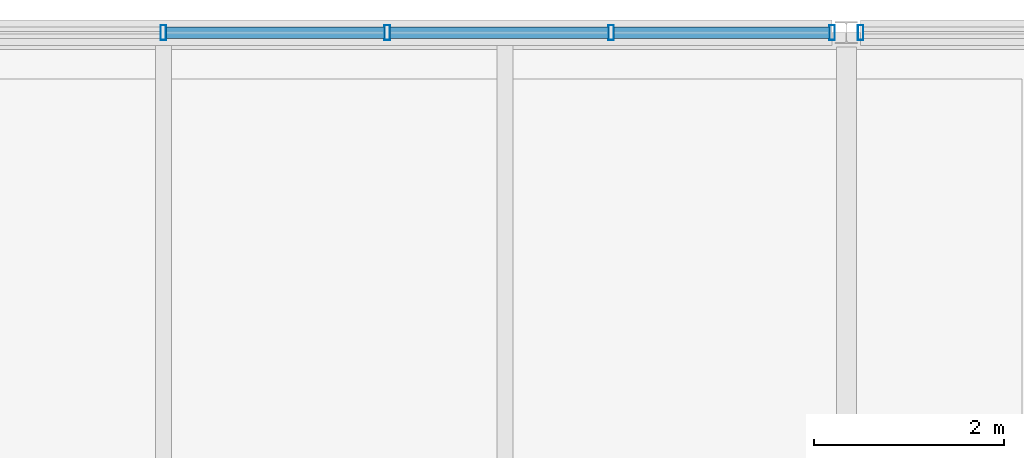
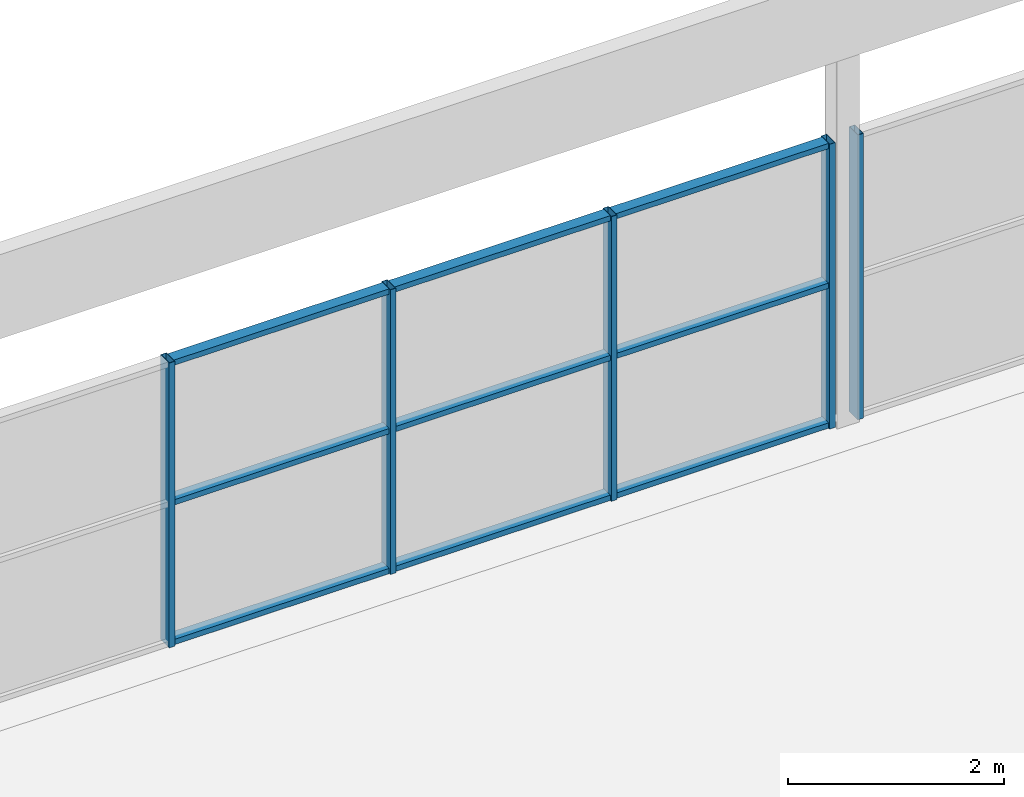
# One storey, part 31 of 43: 14 members, 2 elements without a shape of their own.
"""IFC4 building model written with IfcOpenShell, lengths in metres."""

import ifcopenshell
import ifcopenshell.guid

model = None  # the IFC model being written
_history = None  # IfcOwnerHistory: only IFC2X3 demands one
_inside = {}  # id of a spatial element -> (the spatial element, [elements in it])
_under = {}  # id of a project, library or spatial element -> (it, [spatial elements below it])
_declared = {}  # id of a project -> (the project, [libraries it declares])
_typed = {}  # id of a type object -> (the type object, [elements of that type])
_made_of = {}  # id of a material, layer set ... -> (it, [elements and type objects made of it])


def new_model(schema):
    """Start an empty IFC model of exactly this schema.

    Asked for "IFC4X3", IfcOpenShell would pick the latest addendum, in which some entities
    have other attributes; the version numbers below select the first issue.
    IFC2X3 requires an IfcOwnerHistory on every rooted entity: one is made here for all.
    """
    global model, _history
    if schema == "IFC4X3":
        model = ifcopenshell.file(schema_version=(4, 3, 0, 0))
    else:
        model = ifcopenshell.file(schema=schema)
    _inside.clear()
    _under.clear()
    _declared.clear()
    _typed.clear()
    _made_of.clear()
    _history = None
    if model.schema == "IFC2X3":
        org = make("IfcOrganization", Name="unknown")
        user = make(
            "IfcPersonAndOrganization",
            ThePerson=make("IfcPerson", FamilyName="unknown"),
            TheOrganization=org,
        )
        app = make(
            "IfcApplication",
            ApplicationDeveloper=org,
            Version="unknown",
            ApplicationFullName="unknown",
            ApplicationIdentifier="unknown",
        )
        _history = make(
            "IfcOwnerHistory",
            OwningUser=user,
            OwningApplication=app,
            ChangeAction="ADDED",
            CreationDate=0,
        )
    return model


def make(cls, **values):
    """One entity of the class cls with the attributes given. An attribute that is None is left unset."""
    return model.create_entity(
        cls, **{name: value for name, value in values.items() if value is not None}
    )


def rooted(cls, **values):
    """An entity with a GlobalId (a new one), such as an element, a storey or a relation."""
    return make(cls, GlobalId=ifcopenshell.guid.new(), OwnerHistory=_history, **values)


def si_unit(unit_type, name, prefix=None):
    """IfcSIUnit, for example si_unit("LENGTHUNIT", "METRE", prefix="MILLI")."""
    return make("IfcSIUnit", UnitType=unit_type, Prefix=prefix, Name=name)


def assignment(units):
    """IfcUnitAssignment: the units of a project."""
    return None if units is None else make("IfcUnitAssignment", Units=units)


def point(xyz):
    """IfcCartesianPoint."""
    return None if xyz is None else make("IfcCartesianPoint", Coordinates=xyz)


def direction(xyz):
    """IfcDirection."""
    return None if xyz is None else make("IfcDirection", DirectionRatios=xyz)


def frame(location, z_axis=None, x_axis=None):
    """IfcAxis2Placement3D, a coordinate frame: its origin and axes. An axis left out is left unset."""
    return make(
        "IfcAxis2Placement3D",
        Location=point(location),
        Axis=direction(z_axis),
        RefDirection=direction(x_axis),
    )


def frame_2d(location, x_axis=None):
    """IfcAxis2Placement2D, a coordinate frame in the plane: its origin and x axis."""
    return make(
        "IfcAxis2Placement2D", Location=point(location), RefDirection=direction(x_axis)
    )


def origin():
    """The frame at (0, 0, 0) with its axes left unset."""
    return frame((0.0, 0.0, 0.0))


def origin_2d():
    """The frame at (0, 0) in the plane with its x axis left unset."""
    return frame_2d((0.0, 0.0))


def place(relative_to, where):
    """IfcLocalPlacement: puts the frame where relative to a parent placement (None: the world)."""
    return make(
        "IfcLocalPlacement", PlacementRelTo=relative_to, RelativePlacement=where
    )


def context(
    kind, dimensions, precision=None, world=None, true_north=None, identifier=None
):
    """IfcGeometricRepresentationContext, for example the 3D "Model" context."""
    return make(
        "IfcGeometricRepresentationContext",
        ContextIdentifier=identifier,
        ContextType=kind,
        CoordinateSpaceDimension=dimensions,
        Precision=precision,
        WorldCoordinateSystem=world,
        TrueNorth=true_north,
    )


def subcontext(parent, identifier, kind, view, scale=None):
    """IfcGeometricRepresentationSubContext, for example "Body" below "Model"."""
    return make(
        "IfcGeometricRepresentationSubContext",
        ContextIdentifier=identifier,
        ContextType=kind,
        ParentContext=parent,
        TargetScale=scale,
        TargetView=view,
    )


def project(units=None, contexts=None):
    """IfcProject with its units and contexts."""
    return rooted(
        "IfcProject",
        Name="project",
        RepresentationContexts=contexts,
        UnitsInContext=assignment(units),
    )


def spatial(cls, under=None, at=None, **own):
    """A site, building, storey or space (cls), placed at a placement, below another one or the project."""
    s = rooted(cls, ObjectPlacement=at, **own)
    if under is not None:
        _under.setdefault(under.id(), (under, []))[1].append(s)
    return s


def profile(cls, at=None, kind="AREA", **sizes):
    """A parametric profile (cls). Its sizes go by their IFC names, for example OverallWidth=200.0."""
    return make(cls, ProfileType=kind, Position=at, **sizes)


def hollow_rectangle(**sizes):
    """IfcRectangleHollowProfileDef."""
    return profile("IfcRectangleHollowProfileDef", **sizes)


def extrude(swept, where, along, depth):
    """IfcExtrudedAreaSolid: the profile swept, set in the frame where, extruded along a direction by depth."""
    return make(
        "IfcExtrudedAreaSolid",
        SweptArea=swept,
        Position=where,
        ExtrudedDirection=direction(along),
        Depth=depth,
    )


def shape(context_of_items, identifier, shape_type, items):
    """IfcShapeRepresentation: the items that make up one representation, for example the "Body"."""
    return make(
        "IfcShapeRepresentation",
        ContextOfItems=context_of_items,
        RepresentationIdentifier=identifier,
        RepresentationType=shape_type,
        Items=items,
    )


def material(Name=None, Category=None):
    """IfcMaterial."""
    return make("IfcMaterial", Name=Name, Category=Category)


def material_profile(
    of_material, cross_section, Name=None, Category=None, Priority=None
):
    """IfcMaterialProfile: a cross section and its material."""
    return make(
        "IfcMaterialProfile",
        Name=Name,
        Material=of_material,
        Profile=cross_section,
        Priority=Priority,
        Category=Category,
    )


def profile_set(profiles, Name=None, composite=None):
    """IfcMaterialProfileSet."""
    return make(
        "IfcMaterialProfileSet",
        Name=Name,
        MaterialProfiles=profiles,
        CompositeProfile=composite,
    )


def made_of(thing, what):
    """Note that an element or type object is made of a material, layer set ...; save() writes the relation."""
    if what is not None:
        _made_of.setdefault(what.id(), (what, []))[1].append(thing)
    return thing


def type_object(cls, material=None, **own):
    """A type object (cls), such as IfcWallType, which elements share."""
    return made_of(rooted(cls, **own), material)


def element(
    cls,
    number,
    at=None,
    inside=None,
    cuts=None,
    type_object=None,
    material=None,
    context=None,
    identifier="Body",
    shape_type=None,
    held_by="IfcProductDefinitionShape",
    body=None,
    shapes=None,
    **own,
):
    """One element of the class cls, such as IfcWall. Its Tag is "e" and its number.

    at: its placement. inside: the storey or other place that contains it. cuts: it is an
    opening in that element (IfcRelVoidsElement). A single representation is given by context,
    identifier, shape_type and body (its items); several are given by shapes. held_by: the class
    of the entity that holds the representations. save() writes the other relations.
    """
    e = rooted(cls, Tag="e%d" % number, ObjectPlacement=at, **own)
    if body is not None:
        shapes = [shape(context, identifier, shape_type, body)]
    if shapes is not None:
        e.Representation = make(held_by, Representations=shapes)
    if inside is not None:
        _inside.setdefault(inside.id(), (inside, []))[1].append(e)
    if cuts is not None:
        rooted(
            "IfcRelVoidsElement", RelatingBuildingElement=cuts, RelatedOpeningElement=e
        )
    if type_object is not None:
        _typed.setdefault(type_object.id(), (type_object, []))[1].append(e)
    return made_of(e, material)


def aggregate(whole, parts):
    """IfcRelAggregates: a whole, such as a stair, and the parts it consists of."""
    return rooted("IfcRelAggregates", RelatingObject=whole, RelatedObjects=parts)


def save(model, path):
    """Write the relations noted so far, then the file.

    IfcRelAggregates (storeys below a building ...), IfcRelContainedInSpatialStructure (elements
    in a storey), IfcRelDefinesByType, IfcRelAssociatesMaterial and IfcRelDeclares: one each for
    every whole, place, type object, material and project.
    """
    for whole, parts in _under.values():
        aggregate(whole, parts)
    for where, things in _inside.values():
        rooted(
            "IfcRelContainedInSpatialStructure",
            RelatedElements=things,
            RelatingStructure=where,
        )
    for kind, things in _typed.values():
        rooted("IfcRelDefinesByType", RelatedObjects=things, RelatingType=kind)
    for what, things in _made_of.values():
        rooted("IfcRelAssociatesMaterial", RelatedObjects=things, RelatingMaterial=what)
    for by, libraries in _declared.values():
        rooted("IfcRelDeclares", RelatingContext=by, RelatedDefinitions=libraries)
    model.write(path)


model = new_model("IFC4")

# Units and contexts
model_context = context("Model", 3, precision=1e-05, world=origin(), true_north=direction((0.0, 1.0)))
body_context = subcontext(model_context, "Body", "Model", "MODEL_VIEW")
ifc_project = project(units=[si_unit("LENGTHUNIT", "METRE"), si_unit("AREAUNIT", "SQUARE_METRE"), si_unit("VOLUMEUNIT", "CUBIC_METRE"), si_unit("PLANEANGLEUNIT", "RADIAN"), si_unit("MASSUNIT", "GRAM", prefix="KILO"), si_unit("THERMODYNAMICTEMPERATUREUNIT", "KELVIN")], contexts=[model_context])

# Site, building, storey
site_placement = place(None, origin())
site = spatial("IfcSite", under=ifc_project, at=site_placement, CompositionType="ELEMENT")
building_placement = place(site_placement, origin())
building = spatial("IfcBuilding", under=site, at=building_placement, Name="Nduvali Passage Aquatics Centre", CompositionType="ELEMENT")
storey_placement = place(building_placement, frame((0.0, 0.0, 17.39990234375)))
storey = spatial("IfcBuildingStorey", under=building, at=storey_placement, Name="L04", CompositionType="ELEMENT", Elevation=17.39990234375)

# Curtain wall, members
ifc_material = material(Name="Aluminium EN AW-6063 T6", Category="aluminium")
curtain_wall_type = type_object("IfcCurtainWallType", Name="ENV-CW-WELL", PredefinedType="NOTDEFINED", material=ifc_material)
curtain_wall_1_placement = place(storey_placement, origin())
curtain_wall_1 = element("IfcCurtainWall", 1, at=curtain_wall_1_placement, inside=storey, type_object=curtain_wall_type, Name="L04 North Avenue Recovery Lounge CW 115", PredefinedType="NOTDEFINED")
ifc_material_profile_1 = material_profile(ifc_material, hollow_rectangle(XDim=0.06005859375, YDim=0.159912109375, WallThickness=0.00390625, at=origin_2d()), Name="ALU MULLION 60x160x4")
ifc_profile_set_1 = profile_set([ifc_material_profile_1], Name="Aluminium EN AW-6063 T6")
member_type_1 = type_object("IfcMemberType", Name="ENV-MEM-MUL60", PredefinedType="MULLION", material=ifc_profile_set_1)
member_1_placement = place(storey_placement, frame((104.39990234375, 117.60009765625, 0.0), z_axis=(0.0, 0.0, 1.0), x_axis=(1.0, 0.0, 0.0)))
member_1 = element("IfcMember", 2, at=member_1_placement, type_object=member_type_1, Name="North Avenue Recovery Lounge CW Mullion 4", PredefinedType="MULLION", context=body_context, shape_type="SweptSolid", body=[
    extrude(hollow_rectangle(XDim=0.06005859375, YDim=0.159912109375, WallThickness=0.00390625, at=origin_2d()), origin(), (0.0, 0.0, 1.0), 3.2138671875),
])
member_2_placement = place(storey_placement, frame((106.760009765625, 117.60009765625, 0.0), z_axis=(0.0, 0.0, 1.0), x_axis=(1.0, 0.0, 0.0)))
member_2 = element("IfcMember", 3, at=member_2_placement, type_object=member_type_1, Name="North Avenue Recovery Lounge CW Mullion 5", PredefinedType="MULLION", context=body_context, shape_type="SweptSolid", body=[
    extrude(hollow_rectangle(XDim=0.06005859375, YDim=0.159912109375, WallThickness=0.00390625, at=origin_2d()), origin(), (0.0, 0.0, 1.0), 3.2138671875),
])
member_3_placement = place(storey_placement, frame((109.1201171875, 117.60009765625, 0.0), z_axis=(0.0, 0.0, 1.0), x_axis=(1.0, 0.0, 0.0)))
member_3 = element("IfcMember", 4, at=member_3_placement, type_object=member_type_1, Name="North Avenue Recovery Lounge CW Mullion 6", PredefinedType="MULLION", context=body_context, shape_type="SweptSolid", body=[
    extrude(hollow_rectangle(XDim=0.06005859375, YDim=0.159912109375, WallThickness=0.00390625, at=origin_2d()), origin(), (0.0, 0.0, 1.0), 3.2138671875),
])
member_4_placement = place(storey_placement, frame((111.449951171875, 117.60009765625, 0.0), z_axis=(0.0, 0.0, 1.0), x_axis=(1.0, 0.0, 0.0)))
member_4 = element("IfcMember", 5, at=member_4_placement, type_object=member_type_1, Name="North Avenue Recovery Lounge CW Mullion 7", PredefinedType="MULLION", context=body_context, shape_type="SweptSolid", body=[
    extrude(hollow_rectangle(XDim=0.06005859375, YDim=0.159912109375, WallThickness=0.00390625, at=origin_2d()), origin(), (0.0, 0.0, 1.0), 3.2138671875),
])

# Curtain wall, member
curtain_wall_2_placement = place(storey_placement, origin())
curtain_wall_2 = element("IfcCurtainWall", 6, at=curtain_wall_2_placement, inside=storey, type_object=curtain_wall_type, Name="L04 North Avenue Recovery Lounge CW 116", PredefinedType="NOTDEFINED")
member_5_placement = place(storey_placement, frame((111.75, 117.60009765625, 0.0), z_axis=(0.0, 0.0, 1.0), x_axis=(1.0, 0.0, 0.0)))
member_5 = element("IfcMember", 7, at=member_5_placement, type_object=member_type_1, Name="North Avenue Recovery Lounge CW Mullion 1", PredefinedType="MULLION", context=body_context, shape_type="SweptSolid", body=[
    extrude(hollow_rectangle(XDim=0.06005859375, YDim=0.159912109375, WallThickness=0.00390625, at=origin_2d()), origin(), (0.0, 0.0, 1.0), 3.2138671875),
])
aggregate(curtain_wall_2, [member_5])

# Member
ifc_material_profile_2 = material_profile(ifc_material, hollow_rectangle(XDim=0.1201171875, YDim=0.06005859375, WallThickness=0.00390625, at=origin_2d()), Name="ALU TRANSOM 120x60x4")
ifc_profile_set_2 = profile_set([ifc_material_profile_2], Name="Aluminium EN AW-6063 T6")
member_type_2 = type_object("IfcMemberType", Name="ENV-MEM-TRN60", PredefinedType="USERDEFINED", material=ifc_profile_set_2)
member_6_placement = place(storey_placement, frame((104.429931640625, 117.60009765625, 0.030029296875), z_axis=(1.0, 0.0, 0.0), x_axis=(0.0, 1.0, 0.0)))
member_6 = element("IfcMember", 8, at=member_6_placement, type_object=member_type_2, Name="North Avenue Recovery Lounge CW Transom B4-R0", ObjectType="TRANSOM", PredefinedType="USERDEFINED", context=body_context, shape_type="SweptSolid", body=[
    extrude(hollow_rectangle(XDim=0.1201171875, YDim=0.06005859375, WallThickness=0.00390625, at=origin_2d()), origin(), (0.0, 0.0, 1.0), 2.300048828125),
])

member_7_placement = place(storey_placement, frame((104.429931640625, 117.60009765625, 1.60693359375), z_axis=(1.0, 0.0, 0.0), x_axis=(0.0, 1.0, 0.0)))
member_7 = element("IfcMember", 9, at=member_7_placement, type_object=member_type_2, Name="North Avenue Recovery Lounge CW Transom B4-R1", ObjectType="TRANSOM", PredefinedType="USERDEFINED", context=body_context, shape_type="SweptSolid", body=[
    extrude(hollow_rectangle(XDim=0.1201171875, YDim=0.06005859375, WallThickness=0.00390625, at=origin_2d()), origin(), (0.0, 0.0, 1.0), 2.300048828125),
])

member_8_placement = place(storey_placement, frame((104.429931640625, 117.60009765625, 3.183837890625), z_axis=(1.0, 0.0, 0.0), x_axis=(0.0, 1.0, 0.0)))
member_8 = element("IfcMember", 10, at=member_8_placement, type_object=member_type_2, Name="North Avenue Recovery Lounge CW Transom B4-R2", ObjectType="TRANSOM", PredefinedType="USERDEFINED", context=body_context, shape_type="SweptSolid", body=[
    extrude(hollow_rectangle(XDim=0.1201171875, YDim=0.06005859375, WallThickness=0.00390625, at=origin_2d()), origin(), (0.0, 0.0, 1.0), 2.300048828125),
])

member_9_placement = place(storey_placement, frame((106.7900390625, 117.60009765625, 0.030029296875), z_axis=(1.0, 0.0, 0.0), x_axis=(0.0, 1.0, 0.0)))
member_9 = element("IfcMember", 11, at=member_9_placement, type_object=member_type_2, Name="North Avenue Recovery Lounge CW Transom B5-R0", ObjectType="TRANSOM", PredefinedType="USERDEFINED", context=body_context, shape_type="SweptSolid", body=[
    extrude(hollow_rectangle(XDim=0.1201171875, YDim=0.06005859375, WallThickness=0.00390625, at=origin_2d()), origin(), (0.0, 0.0, 1.0), 2.300048828125),
])

member_10_placement = place(storey_placement, frame((106.7900390625, 117.60009765625, 1.60693359375), z_axis=(1.0, 0.0, 0.0), x_axis=(0.0, 1.0, 0.0)))
member_10 = element("IfcMember", 12, at=member_10_placement, type_object=member_type_2, Name="North Avenue Recovery Lounge CW Transom B5-R1", ObjectType="TRANSOM", PredefinedType="USERDEFINED", context=body_context, shape_type="SweptSolid", body=[
    extrude(hollow_rectangle(XDim=0.1201171875, YDim=0.06005859375, WallThickness=0.00390625, at=origin_2d()), origin(), (0.0, 0.0, 1.0), 2.300048828125),
])

member_11_placement = place(storey_placement, frame((106.7900390625, 117.60009765625, 3.183837890625), z_axis=(1.0, 0.0, 0.0), x_axis=(0.0, 1.0, 0.0)))
member_11 = element("IfcMember", 13, at=member_11_placement, type_object=member_type_2, Name="North Avenue Recovery Lounge CW Transom B5-R2", ObjectType="TRANSOM", PredefinedType="USERDEFINED", context=body_context, shape_type="SweptSolid", body=[
    extrude(hollow_rectangle(XDim=0.1201171875, YDim=0.06005859375, WallThickness=0.00390625, at=origin_2d()), origin(), (0.0, 0.0, 1.0), 2.300048828125),
])

member_12_placement = place(storey_placement, frame((109.14990234375, 117.60009765625, 0.030029296875), z_axis=(1.0, 0.0, 0.0), x_axis=(0.0, 1.0, 0.0)))
member_12 = element("IfcMember", 14, at=member_12_placement, type_object=member_type_2, Name="North Avenue Recovery Lounge CW Transom B6-R0", ObjectType="TRANSOM", PredefinedType="USERDEFINED", context=body_context, shape_type="SweptSolid", body=[
    extrude(hollow_rectangle(XDim=0.1201171875, YDim=0.06005859375, WallThickness=0.00390625, at=origin_2d()), origin(), (0.0, 0.0, 1.0), 2.27001953125),
])

member_13_placement = place(storey_placement, frame((109.14990234375, 117.60009765625, 1.60693359375), z_axis=(1.0, 0.0, 0.0), x_axis=(0.0, 1.0, 0.0)))
member_13 = element("IfcMember", 15, at=member_13_placement, type_object=member_type_2, Name="North Avenue Recovery Lounge CW Transom B6-R1", ObjectType="TRANSOM", PredefinedType="USERDEFINED", context=body_context, shape_type="SweptSolid", body=[
    extrude(hollow_rectangle(XDim=0.1201171875, YDim=0.06005859375, WallThickness=0.00390625, at=origin_2d()), origin(), (0.0, 0.0, 1.0), 2.27001953125),
])

member_14_placement = place(storey_placement, frame((109.14990234375, 117.60009765625, 3.183837890625), z_axis=(1.0, 0.0, 0.0), x_axis=(0.0, 1.0, 0.0)))
member_14 = element("IfcMember", 16, at=member_14_placement, type_object=member_type_2, Name="North Avenue Recovery Lounge CW Transom B6-R2", ObjectType="TRANSOM", PredefinedType="USERDEFINED", context=body_context, shape_type="SweptSolid", body=[
    extrude(hollow_rectangle(XDim=0.1201171875, YDim=0.06005859375, WallThickness=0.00390625, at=origin_2d()), origin(), (0.0, 0.0, 1.0), 2.27001953125),
])

aggregate(curtain_wall_1, [member_1, member_2, member_3, member_4, member_6, member_7, member_8, member_9, member_10, member_11, member_12, member_13, member_14])

save(model, "model.ifc")
